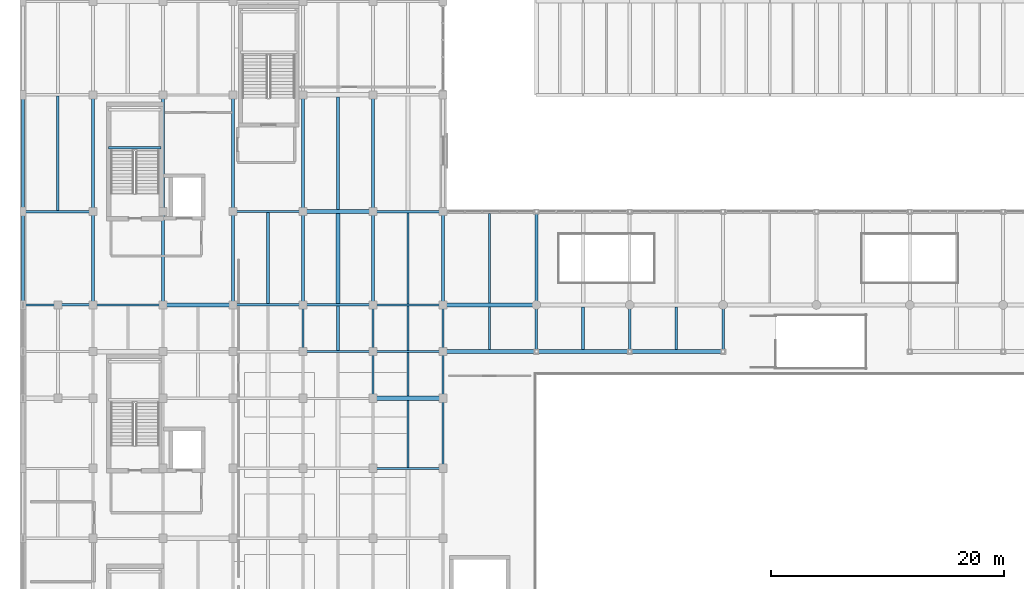
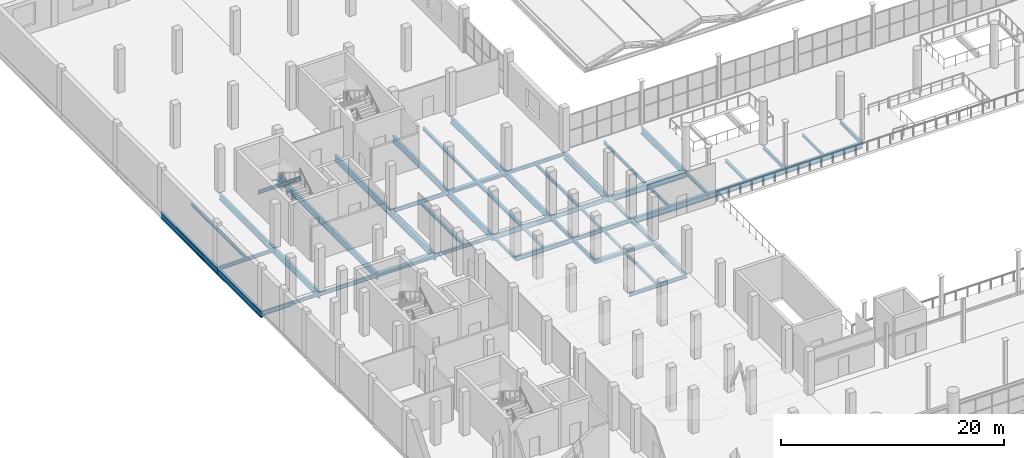
# One storey, part 20 of 114: 56 beams.
"""IFC4 building model written with IfcOpenShell, lengths in metres."""

from ifc_helpers import new_model, si_unit, direction, frame, origin, origin_2d, place, context, subcontext, project, spatial, i_section, extrude, material, material_profile, profile_set, type_object, element, save


model = new_model("IFC4")

# Units and contexts
model_context = context("Model", 3, precision=1e-05, world=origin(), true_north=direction((0.0, 1.0)))
body_context = subcontext(model_context, "Body", "Model", "MODEL_VIEW")
ifc_project = project(units=[si_unit("LENGTHUNIT", "METRE"), si_unit("AREAUNIT", "SQUARE_METRE"), si_unit("VOLUMEUNIT", "CUBIC_METRE"), si_unit("PLANEANGLEUNIT", "RADIAN"), si_unit("MASSUNIT", "GRAM", prefix="KILO")], contexts=[model_context])

# Site, building, storey
site_placement = place(None, origin())
site = spatial("IfcSite", under=ifc_project, at=site_placement, CompositionType="ELEMENT")
building_placement = place(site_placement, origin())
building = spatial("IfcBuilding", under=site, at=building_placement, Name="Verrall Gate Interchange", CompositionType="ELEMENT")
storey_placement = place(building_placement, frame((0.0, 0.0, 6.60009765625)))
storey = spatial("IfcBuildingStorey", under=building, at=storey_placement, Name="L02", CompositionType="ELEMENT", Elevation=6.60009765625)

# Beams
ifc_material_1 = material(Name="Structural Steel CSA G40.21 350WT Cat 4", Category="steel")
ifc_material_profile_1 = material_profile(ifc_material_1, i_section(OverallWidth=0.256103515625, OverallDepth=0.693115234375, WebThickness=0.01318359375, FlangeThickness=0.02001953125, FilletRadius=0.01611328125, at=origin_2d()), Name="W690x170")
ifc_profile_set_1 = profile_set([ifc_material_profile_1], Name="Structural Steel CSA G40.21 350WT Cat 4")
beam_type_1 = type_object("IfcBeamType", Name="B-07 Structural Beam W690x170", PredefinedType="BEAM", material=ifc_profile_set_1)
beam_1_placement = place(storey_placement, frame((0.0, 48.0, -0.626708984375), z_axis=(0.0, 1.0, 0.0), x_axis=(-1.0, 0.0, 0.0)))
element("IfcBeam", 1, at=beam_1_placement, inside=storey, type_object=beam_type_1, Name="L02 Girder BM-L02-1642 (B-07)", PredefinedType="BEAM", context=body_context, shape_type="SweptSolid", body=[
    extrude(i_section(OverallWidth=0.256103515625, OverallDepth=0.693115234375, WebThickness=0.01318359375, FlangeThickness=0.02001953125, FilletRadius=0.01611328125, at=origin_2d()), origin(), (0.0, 0.0, 1.0), 8.0),
])
beam_2_placement = place(storey_placement, frame((0.0, 56.0, -0.626708984375), z_axis=(0.0, 1.0, 0.0), x_axis=(-1.0, 0.0, 0.0)))
element("IfcBeam", 2, at=beam_2_placement, inside=storey, type_object=beam_type_1, Name="L02 Girder BM-L02-1643 (B-07)", PredefinedType="BEAM", context=body_context, shape_type="SweptSolid", body=[
    extrude(i_section(OverallWidth=0.256103515625, OverallDepth=0.693115234375, WebThickness=0.01318359375, FlangeThickness=0.02001953125, FilletRadius=0.01611328125, at=origin_2d()), origin(), (0.0, 0.0, 1.0), 10.0),
])
beam_3_placement = place(storey_placement, frame((6.0, 48.0, -0.626708984375), z_axis=(0.0, 1.0, 0.0), x_axis=(-1.0, 0.0, 0.0)))
element("IfcBeam", 3, at=beam_3_placement, inside=storey, type_object=beam_type_1, Name="L02 Girder BM-L02-1657 (B-07)", PredefinedType="BEAM", context=body_context, shape_type="SweptSolid", body=[
    extrude(i_section(OverallWidth=0.256103515625, OverallDepth=0.693115234375, WebThickness=0.01318359375, FlangeThickness=0.02001953125, FilletRadius=0.01611328125, at=origin_2d()), origin(), (0.0, 0.0, 1.0), 8.0),
])
beam_4_placement = place(storey_placement, frame((6.0, 56.0, -0.626708984375), z_axis=(0.0, 1.0, 0.0), x_axis=(-1.0, 0.0, 0.0)))
element("IfcBeam", 4, at=beam_4_placement, inside=storey, type_object=beam_type_1, Name="L02 Girder BM-L02-1658 (B-07)", PredefinedType="BEAM", context=body_context, shape_type="SweptSolid", body=[
    extrude(i_section(OverallWidth=0.256103515625, OverallDepth=0.693115234375, WebThickness=0.01318359375, FlangeThickness=0.02001953125, FilletRadius=0.01611328125, at=origin_2d()), origin(), (0.0, 0.0, 1.0), 10.0),
])
beam_5_placement = place(storey_placement, frame((12.0, 48.0, -0.626708984375), z_axis=(0.0, 1.0, 0.0), x_axis=(-1.0, 0.0, 0.0)))
element("IfcBeam", 5, at=beam_5_placement, inside=storey, type_object=beam_type_1, Name="L02 Girder BM-L02-1671 (B-07)", PredefinedType="BEAM", context=body_context, shape_type="SweptSolid", body=[
    extrude(i_section(OverallWidth=0.256103515625, OverallDepth=0.693115234375, WebThickness=0.01318359375, FlangeThickness=0.02001953125, FilletRadius=0.01611328125, at=origin_2d()), origin(), (0.0, 0.0, 1.0), 8.0),
])
beam_6_placement = place(storey_placement, frame((12.0, 56.0, -0.626708984375), z_axis=(0.0, 1.0, 0.0), x_axis=(-1.0, 0.0, 0.0)))
element("IfcBeam", 6, at=beam_6_placement, inside=storey, type_object=beam_type_1, Name="L02 Girder BM-L02-1672 (B-07)", PredefinedType="BEAM", context=body_context, shape_type="SweptSolid", body=[
    extrude(i_section(OverallWidth=0.256103515625, OverallDepth=0.693115234375, WebThickness=0.01318359375, FlangeThickness=0.02001953125, FilletRadius=0.01611328125, at=origin_2d()), origin(), (0.0, 0.0, 1.0), 10.0),
])
beam_7_placement = place(storey_placement, frame((18.0, 48.0, -0.626708984375), z_axis=(0.0, 1.0, 0.0), x_axis=(-1.0, 0.0, 0.0)))
element("IfcBeam", 7, at=beam_7_placement, inside=storey, type_object=beam_type_1, Name="L02 Girder BM-L02-1685 (B-07)", PredefinedType="BEAM", context=body_context, shape_type="SweptSolid", body=[
    extrude(i_section(OverallWidth=0.256103515625, OverallDepth=0.693115234375, WebThickness=0.01318359375, FlangeThickness=0.02001953125, FilletRadius=0.01611328125, at=origin_2d()), origin(), (0.0, 0.0, 1.0), 8.0),
])
beam_8_placement = place(storey_placement, frame((18.0, 56.0, -0.626708984375), z_axis=(0.0, 1.0, 0.0), x_axis=(-1.0, 0.0, 0.0)))
element("IfcBeam", 8, at=beam_8_placement, inside=storey, type_object=beam_type_1, Name="L02 Girder BM-L02-1686 (B-07)", PredefinedType="BEAM", context=body_context, shape_type="SweptSolid", body=[
    extrude(i_section(OverallWidth=0.256103515625, OverallDepth=0.693115234375, WebThickness=0.01318359375, FlangeThickness=0.02001953125, FilletRadius=0.01611328125, at=origin_2d()), origin(), (0.0, 0.0, 1.0), 10.0),
])
beam_9_placement = place(storey_placement, frame((24.0, 48.0, -0.626708984375), z_axis=(0.0, 1.0, 0.0), x_axis=(-1.0, 0.0, 0.0)))
element("IfcBeam", 9, at=beam_9_placement, inside=storey, type_object=beam_type_1, Name="L02 Girder BM-L02-1699 (B-07)", PredefinedType="BEAM", context=body_context, shape_type="SweptSolid", body=[
    extrude(i_section(OverallWidth=0.256103515625, OverallDepth=0.693115234375, WebThickness=0.01318359375, FlangeThickness=0.02001953125, FilletRadius=0.01611328125, at=origin_2d()), origin(), (0.0, 0.0, 1.0), 8.0),
])
beam_10_placement = place(storey_placement, frame((24.0, 56.0, -0.626708984375), z_axis=(0.0, 1.0, 0.0), x_axis=(-1.0, 0.0, 0.0)))
element("IfcBeam", 10, at=beam_10_placement, inside=storey, type_object=beam_type_1, Name="L02 Girder BM-L02-1700 (B-07)", PredefinedType="BEAM", context=body_context, shape_type="SweptSolid", body=[
    extrude(i_section(OverallWidth=0.256103515625, OverallDepth=0.693115234375, WebThickness=0.01318359375, FlangeThickness=0.02001953125, FilletRadius=0.01611328125, at=origin_2d()), origin(), (0.0, 0.0, 1.0), 10.0),
])
beam_11_placement = place(storey_placement, frame((30.0, 48.0, -0.626708984375), z_axis=(0.0, 1.0, 0.0), x_axis=(-1.0, 0.0, 0.0)))
element("IfcBeam", 11, at=beam_11_placement, inside=storey, type_object=beam_type_1, Name="L02 Girder BM-L02-1713 (B-07)", PredefinedType="BEAM", context=body_context, shape_type="SweptSolid", body=[
    extrude(i_section(OverallWidth=0.256103515625, OverallDepth=0.693115234375, WebThickness=0.01318359375, FlangeThickness=0.02001953125, FilletRadius=0.01611328125, at=origin_2d()), origin(), (0.0, 0.0, 1.0), 8.0),
])
beam_12_placement = place(storey_placement, frame((30.0, 56.0, -0.626708984375), z_axis=(0.0, 1.0, 0.0), x_axis=(-1.0, 0.0, 0.0)))
element("IfcBeam", 12, at=beam_12_placement, inside=storey, type_object=beam_type_1, Name="L02 Girder BM-L02-1714 (B-07)", PredefinedType="BEAM", context=body_context, shape_type="SweptSolid", body=[
    extrude(i_section(OverallWidth=0.256103515625, OverallDepth=0.693115234375, WebThickness=0.01318359375, FlangeThickness=0.02001953125, FilletRadius=0.01611328125, at=origin_2d()), origin(), (0.0, 0.0, 1.0), 10.0),
])
for number, where, z_axis, x_axis, name in (
    (13, (36.0, 48.0, -0.626708984375), (0.0, 1.0, 0.0), (-1.0, 0.0, 0.0), "L02 Girder BM-L02-1727 (B-07)"),
    (14, (44.0, 48.0, -0.626708984375), (0.0, 1.0, 0.0), (-1.0, 0.0, 0.0), "L02 Girder BM-L02-1736 (B-07)"),
):
    element("IfcBeam", number, at=place(storey_placement, frame(where, z_axis=z_axis, x_axis=x_axis)), inside=storey, type_object=beam_type_1, Name=name, PredefinedType="BEAM", context=body_context, shape_type="SweptSolid", body=[
        extrude(i_section(OverallWidth=0.256103515625, OverallDepth=0.693115234375, WebThickness=0.01318359375, FlangeThickness=0.02001953125, FilletRadius=0.01611328125, at=origin_2d()), origin(), (0.0, 0.0, 1.0), 8.0),
    ])
ifc_material_2 = material(Name="Structural Steel CSA G40.21 350WT Cat 4", Category="steel")
ifc_material_profile_2 = material_profile(ifc_material_2, i_section(OverallWidth=0.323974609375, OverallDepth=0.611083984375, WebThickness=0.0126953125, FlangeThickness=0.01904296875, FilletRadius=0.014892578125, at=origin_2d()), Name="W610x155")
ifc_profile_set_2 = profile_set([ifc_material_profile_2], Name="Structural Steel CSA G40.21 350WT Cat 4")
beam_type_2 = type_object("IfcBeamType", Name="B-08 Structural Beam W610x155", PredefinedType="BEAM", material=ifc_profile_set_2)
for number, where, z_axis, x_axis, name in (
    (15, (36.0, 44.0, -0.585693359375), (1.0, 0.0, 0.0), (0.0, 1.0, 0.0), "L02 Girder BM-L02-1551 (B-08)"),
    (16, (44.0, 44.0, -0.585693359375), (1.0, 0.0, 0.0), (0.0, 1.0, 0.0), "L02 Girder BM-L02-1552 (B-08)"),
    (17, (52.0, 44.0, -0.585693359375), (1.0, 0.0, 0.0), (0.0, 1.0, 0.0), "L02 Girder BM-L02-1553 (B-08)"),
    (18, (36.0, 48.0, -0.585693359375), (1.0, 0.0, 0.0), (0.0, 1.0, 0.0), "L02 Girder BM-L02-1570 (B-08)"),
):
    element("IfcBeam", number, at=place(storey_placement, frame(where, z_axis=z_axis, x_axis=x_axis)), inside=storey, type_object=beam_type_2, Name=name, PredefinedType="BEAM", context=body_context, shape_type="SweptSolid", body=[
        extrude(i_section(OverallWidth=0.323974609375, OverallDepth=0.611083984375, WebThickness=0.0126953125, FlangeThickness=0.01904296875, FilletRadius=0.014892578125, at=origin_2d()), origin(), (0.0, 0.0, 1.0), 8.0),
    ])
ifc_material_3 = material(Name="Structural Steel CSA G40.21 350W", Category="steel")
ifc_material_profile_3 = material_profile(ifc_material_3, i_section(OverallWidth=0.2109375, OverallDepth=0.5390625, WebThickness=0.01171875, FlangeThickness=0.018798828125, FilletRadius=0.013916015625, at=origin_2d()), Name="W530x109")
ifc_profile_set_3 = profile_set([ifc_material_profile_3], Name="Structural Steel CSA G40.21 350W")
beam_type_3 = type_object("IfcBeamType", Name="B-10 Structural Beam W530x109", PredefinedType="BEAM", material=ifc_profile_set_3)
beam_13_placement = place(storey_placement, frame((24.0, 48.0, -0.549560546875), z_axis=(1.0, 0.0, 0.0), x_axis=(0.0, 1.0, 0.0)))
element("IfcBeam", 19, at=beam_13_placement, inside=storey, type_object=beam_type_3, Name="L02 Girder BM-L02-1568 (B-10)", PredefinedType="BEAM", context=body_context, shape_type="SweptSolid", body=[
    extrude(i_section(OverallWidth=0.2109375, OverallDepth=0.5390625, WebThickness=0.01171875, FlangeThickness=0.018798828125, FilletRadius=0.013916015625, at=origin_2d()), origin(), (0.0, 0.0, 1.0), 6.0),
])
ifc_material_4 = material(Name="Structural Steel CSA G40.21 350W", Category="steel")
ifc_material_profile_4 = material_profile(ifc_material_4, i_section(OverallWidth=0.19189453125, OverallDepth=0.462890625, WebThickness=0.010498046875, FlangeThickness=0.017578125, FilletRadius=0.012939453125, at=origin_2d()), Name="W460x89")
ifc_profile_set_4 = profile_set([ifc_material_profile_4], Name="Structural Steel CSA G40.21 350W")
beam_type_4 = type_object("IfcBeamType", Name="B-11 Structural Beam W460x89", PredefinedType="BEAM", material=ifc_profile_set_4)
beam_14_placement = place(storey_placement, frame((24.0, 44.0, -0.51171875), z_axis=(1.0, 0.0, 0.0), x_axis=(0.0, 1.0, 0.0)))
element("IfcBeam", 20, at=beam_14_placement, inside=storey, type_object=beam_type_4, Name="L02 Girder BM-L02-1549 (B-11)", PredefinedType="BEAM", context=body_context, shape_type="SweptSolid", body=[
    extrude(i_section(OverallWidth=0.19189453125, OverallDepth=0.462890625, WebThickness=0.010498046875, FlangeThickness=0.017578125, FilletRadius=0.012939453125, at=origin_2d()), origin(), (0.0, 0.0, 1.0), 6.0),
])
beam_15_placement = place(storey_placement, frame((0.0, 48.0, -0.51171875), z_axis=(1.0, 0.0, 0.0), x_axis=(0.0, 1.0, 0.0)))
element("IfcBeam", 21, at=beam_15_placement, inside=storey, type_object=beam_type_4, Name="L02 Girder BM-L02-1563 (B-11)", PredefinedType="BEAM", context=body_context, shape_type="SweptSolid", body=[
    extrude(i_section(OverallWidth=0.19189453125, OverallDepth=0.462890625, WebThickness=0.010498046875, FlangeThickness=0.017578125, FilletRadius=0.012939453125, at=origin_2d()), origin(), (0.0, 0.0, 1.0), 3.0),
])
beam_16_placement = place(storey_placement, frame((30.0, 48.0, -0.51171875), z_axis=(1.0, 0.0, 0.0), x_axis=(0.0, 1.0, 0.0)))
element("IfcBeam", 22, at=beam_16_placement, inside=storey, type_object=beam_type_4, Name="L02 Girder BM-L02-1569 (B-11)", PredefinedType="BEAM", context=body_context, shape_type="SweptSolid", body=[
    extrude(i_section(OverallWidth=0.19189453125, OverallDepth=0.462890625, WebThickness=0.010498046875, FlangeThickness=0.017578125, FilletRadius=0.012939453125, at=origin_2d()), origin(), (0.0, 0.0, 1.0), 6.0),
])
for number, where, z_axis, x_axis, name in (
    (23, (30.0, 40.0, -0.51171875), (0.0, 1.0, 0.0), (-1.0, 0.0, 0.0), "L02 Girder BM-L02-1711 (B-11)"),
    (24, (30.0, 44.0, -0.51171875), (0.0, 1.0, 0.0), (-1.0, 0.0, 0.0), "L02 Girder BM-L02-1712 (B-11)"),
):
    element("IfcBeam", number, at=place(storey_placement, frame(where, z_axis=z_axis, x_axis=x_axis)), inside=storey, type_object=beam_type_4, Name=name, PredefinedType="BEAM", context=body_context, shape_type="SweptSolid", body=[
        extrude(i_section(OverallWidth=0.19189453125, OverallDepth=0.462890625, WebThickness=0.010498046875, FlangeThickness=0.017578125, FilletRadius=0.012939453125, at=origin_2d()), origin(), (0.0, 0.0, 1.0), 4.0),
    ])
beam_17_placement = place(storey_placement, frame((36.0, 34.0, -0.51171875), z_axis=(0.0, 1.0, 0.0), x_axis=(-1.0, 0.0, 0.0)))
element("IfcBeam", 25, at=beam_17_placement, inside=storey, type_object=beam_type_4, Name="L02 Girder BM-L02-1724 (B-11)", PredefinedType="BEAM", context=body_context, shape_type="SweptSolid", body=[
    extrude(i_section(OverallWidth=0.19189453125, OverallDepth=0.462890625, WebThickness=0.010498046875, FlangeThickness=0.017578125, FilletRadius=0.012939453125, at=origin_2d()), origin(), (0.0, 0.0, 1.0), 6.0),
])
ifc_material_5 = material(Name="Structural Steel CSA G40.21 350W", Category="steel")
ifc_material_profile_5 = material_profile(ifc_material_5, i_section(OverallWidth=0.178955078125, OverallDepth=0.409912109375, WebThickness=0.0087890625, FlangeThickness=0.014404296875, FilletRadius=0.011962890625, at=origin_2d()), Name="W410x67")
ifc_profile_set_5 = profile_set([ifc_material_profile_5], Name="Structural Steel CSA G40.21 350W")
beam_type_5 = type_object("IfcBeamType", Name="B-12 Structural Beam W410x67", PredefinedType="BEAM", material=ifc_profile_set_5)
for number, where, z_axis, x_axis, name in (
    (26, (30.0, 34.0, -0.485107421875), (1.0, 0.0, 0.0), (0.0, 1.0, 0.0), "L02 Girder BM-L02-1529 (B-12)"),
    (27, (30.0, 44.0, -0.485107421875), (1.0, 0.0, 0.0), (0.0, 1.0, 0.0), "L02 Girder BM-L02-1550 (B-12)"),
    (28, (6.0, 48.0, -0.485107421875), (1.0, 0.0, 0.0), (0.0, 1.0, 0.0), "L02 Girder BM-L02-1565 (B-12)"),
    (29, (18.0, 56.0, -0.485107421875), (1.0, 0.0, 0.0), (0.0, 1.0, 0.0), "L02 Girder BM-L02-1589 (B-12)"),
):
    element("IfcBeam", number, at=place(storey_placement, frame(where, z_axis=z_axis, x_axis=x_axis)), inside=storey, type_object=beam_type_5, Name=name, PredefinedType="BEAM", context=body_context, shape_type="SweptSolid", body=[
        extrude(i_section(OverallWidth=0.178955078125, OverallDepth=0.409912109375, WebThickness=0.0087890625, FlangeThickness=0.014404296875, FilletRadius=0.011962890625, at=origin_2d()), origin(), (0.0, 0.0, 1.0), 6.0),
    ])
ifc_material_6 = material(Name="Structural Steel CSA G40.21 350W", Category="steel")
ifc_material_profile_6 = material_profile(ifc_material_6, i_section(OverallWidth=0.368896484375, OverallDepth=0.35595703125, WebThickness=0.01123046875, FlangeThickness=0.01806640625, FilletRadius=0.014892578125, at=origin_2d()), Name="W360x134")
ifc_profile_set_6 = profile_set([ifc_material_profile_6], Name="Structural Steel CSA G40.21 350W")
beam_type_6 = type_object("IfcBeamType", Name="B-13 Structural Beam W360x134", PredefinedType="BEAM", material=ifc_profile_set_6)
for number, where, z_axis, x_axis, name in (
    (30, (30.0, 40.0, -0.4580078125), (1.0, 0.0, 0.0), (0.0, 1.0, 0.0), "L02 Girder BM-L02-1539 (B-13)"),
    (31, (12.0, 48.0, -0.4580078125), (1.0, 0.0, 0.0), (0.0, 1.0, 0.0), "L02 Girder BM-L02-1566 (B-13)"),
    (32, (24.0, 56.0, -0.4580078125), (1.0, 0.0, 0.0), (0.0, 1.0, 0.0), "L02 Girder BM-L02-1590 (B-13)"),
):
    element("IfcBeam", number, at=place(storey_placement, frame(where, z_axis=z_axis, x_axis=x_axis)), inside=storey, type_object=beam_type_6, Name=name, PredefinedType="BEAM", context=body_context, shape_type="SweptSolid", body=[
        extrude(i_section(OverallWidth=0.368896484375, OverallDepth=0.35595703125, WebThickness=0.01123046875, FlangeThickness=0.01806640625, FilletRadius=0.014892578125, at=origin_2d()), origin(), (0.0, 0.0, 1.0), 6.0),
    ])
ifc_material_7 = material(Name="Structural Steel CSA G40.21 350W", Category="steel")
ifc_material_profile_7 = material_profile(ifc_material_7, i_section(OverallWidth=0.205078125, OverallDepth=0.35400390625, WebThickness=0.009521484375, FlangeThickness=0.016845703125, FilletRadius=0.012939453125, at=origin_2d()), Name="W360x79")
ifc_profile_set_7 = profile_set([ifc_material_profile_7], Name="Structural Steel CSA G40.21 350W")
beam_type_7 = type_object("IfcBeamType", Name="B-14 Structural Beam W360x79", PredefinedType="BEAM", material=ifc_profile_set_7)
beam_18_placement = place(storey_placement, frame((3.0, 48.0, -0.45703125), z_axis=(1.0, 0.0, 0.0), x_axis=(0.0, 1.0, 0.0)))
element("IfcBeam", 33, at=beam_18_placement, inside=storey, type_object=beam_type_7, Name="L02 Girder BM-L02-1564 (B-14)", PredefinedType="BEAM", context=body_context, shape_type="SweptSolid", body=[
    extrude(i_section(OverallWidth=0.205078125, OverallDepth=0.35400390625, WebThickness=0.009521484375, FlangeThickness=0.016845703125, FilletRadius=0.012939453125, at=origin_2d()), origin(), (0.0, 0.0, 1.0), 3.0),
])
for number, where, z_axis, x_axis, name in (
    (34, (18.0, 48.0, -0.45703125), (1.0, 0.0, 0.0), (0.0, 1.0, 0.0), "L02 Girder BM-L02-1567 (B-14)"),
    (35, (0.0, 56.0, -0.45703125), (1.0, 0.0, 0.0), (0.0, 1.0, 0.0), "L02 Girder BM-L02-1588 (B-14)"),
    (36, (30.0, 56.0, -0.45703125), (1.0, 0.0, 0.0), (0.0, 1.0, 0.0), "L02 Girder BM-L02-1591 (B-14)"),
):
    element("IfcBeam", number, at=place(storey_placement, frame(where, z_axis=z_axis, x_axis=x_axis)), inside=storey, type_object=beam_type_7, Name=name, PredefinedType="BEAM", context=body_context, shape_type="SweptSolid", body=[
        extrude(i_section(OverallWidth=0.205078125, OverallDepth=0.35400390625, WebThickness=0.009521484375, FlangeThickness=0.016845703125, FilletRadius=0.012939453125, at=origin_2d()), origin(), (0.0, 0.0, 1.0), 6.0),
    ])
for number, where, z_axis, x_axis, name in (
    (37, (24.0, 44.0, -0.45703125), (0.0, 1.0, 0.0), (-1.0, 0.0, 0.0), "L02 Girder BM-L02-1698 (B-14)"),
    (38, (36.0, 40.0, -0.45703125), (0.0, 1.0, 0.0), (-1.0, 0.0, 0.0), "L02 Girder BM-L02-1725 (B-14)"),
    (39, (36.0, 44.0, -0.45703125), (0.0, 1.0, 0.0), (-1.0, 0.0, 0.0), "L02 Girder BM-L02-1726 (B-14)"),
    (40, (44.0, 44.0, -0.45703125), (0.0, 1.0, 0.0), (-1.0, 0.0, 0.0), "L02 Girder BM-L02-1735 (B-14)"),
    (41, (52.0, 44.0, -0.45703125), (0.0, 1.0, 0.0), (-1.0, 0.0, 0.0), "L02 Girder BM-L02-1740 (B-14)"),
    (42, (60.0, 44.0, -0.45703125), (0.0, 1.0, 0.0), (-1.0, 0.0, 0.0), "L02 Girder BM-L02-1745 (B-14)"),
):
    element("IfcBeam", number, at=place(storey_placement, frame(where, z_axis=z_axis, x_axis=x_axis)), inside=storey, type_object=beam_type_7, Name=name, PredefinedType="BEAM", context=body_context, shape_type="SweptSolid", body=[
        extrude(i_section(OverallWidth=0.205078125, OverallDepth=0.35400390625, WebThickness=0.009521484375, FlangeThickness=0.016845703125, FilletRadius=0.012939453125, at=origin_2d()), origin(), (0.0, 0.0, 1.0), 4.0),
    ])
beam_19_placement = place(storey_placement, frame((7.35009765625, 61.469970703125, 2.02978515625), z_axis=(1.0, 0.0, 0.0), x_axis=(0.0, 1.0, 0.0)))
element("IfcBeam", 43, at=beam_19_placement, inside=storey, type_object=beam_type_7, Name="L02 Core C3 Mid-Landing Beam 1", PredefinedType="BEAM", context=body_context, shape_type="SweptSolid", body=[
    extrude(i_section(OverallWidth=0.205078125, OverallDepth=0.35400390625, WebThickness=0.009521484375, FlangeThickness=0.016845703125, FilletRadius=0.012939453125, at=origin_2d()), origin(), (0.0, 0.0, 1.0), 4.5),
])
ifc_material_8 = material(Name="Structural Steel CSA G40.21 350W", Category="steel")
ifc_material_profile_8 = material_profile(ifc_material_8, i_section(OverallWidth=0.172119140625, OverallDepth=0.35791015625, WebThickness=0.0078125, FlangeThickness=0.01318359375, FilletRadius=0.010986328125, at=origin_2d()), Name="W360x57")
ifc_profile_set_8 = profile_set([ifc_material_profile_8], Name="Structural Steel CSA G40.21 350W")
beam_type_8 = type_object("IfcBeamType", Name="J-01 Floor Joist W360x57", PredefinedType="JOIST", material=ifc_profile_set_8)
beam_20_placement = place(storey_placement, frame((33.0, 34.089599609375, -0.458984375), z_axis=(0.0, 1.0, 0.0), x_axis=(-1.0, 0.0, 0.0)))
element("IfcBeam", 44, at=beam_20_placement, inside=storey, type_object=beam_type_8, Name="L02 Secondary Floor Joist JST-L02-1909", PredefinedType="JOIST", context=body_context, shape_type="SweptSolid", body=[
    extrude(i_section(OverallWidth=0.172119140625, OverallDepth=0.35791015625, WebThickness=0.0078125, FlangeThickness=0.01318359375, FilletRadius=0.010986328125, at=origin_2d()), origin(), (0.0, 0.0, 1.0), 5.725830078125),
])
beam_21_placement = place(storey_placement, frame((33.0, 48.095947265625, -0.458984375), z_axis=(0.0, 1.0, 0.0), x_axis=(-1.0, 0.0, 0.0)))
element("IfcBeam", 45, at=beam_21_placement, inside=storey, type_object=beam_type_8, Name="L02 Secondary Floor Joist JST-L02-1942", PredefinedType="JOIST", context=body_context, shape_type="SweptSolid", body=[
    extrude(i_section(OverallWidth=0.172119140625, OverallDepth=0.35791015625, WebThickness=0.0078125, FlangeThickness=0.01318359375, FilletRadius=0.010986328125, at=origin_2d()), origin(), (0.0, 0.0, 1.0), 7.801513671875),
])
beam_22_placement = place(storey_placement, frame((40.0, 48.162109375, -0.458984375), z_axis=(0.0, 1.0, 0.0), x_axis=(-1.0, 0.0, 0.0)))
element("IfcBeam", 46, at=beam_22_placement, inside=storey, type_object=beam_type_8, Name="L02 Secondary Floor Joist JST-L02-1943", PredefinedType="JOIST", context=body_context, shape_type="SweptSolid", body=[
    extrude(i_section(OverallWidth=0.172119140625, OverallDepth=0.35791015625, WebThickness=0.0078125, FlangeThickness=0.01318359375, FilletRadius=0.010986328125, at=origin_2d()), origin(), (0.0, 0.0, 1.0), 7.67578125),
])
ifc_material_9 = material(Name="Structural Steel CSA G40.21 350W", Category="steel")
ifc_material_profile_9 = material_profile(ifc_material_9, i_section(OverallWidth=0.306884765625, OverallDepth=0.31396484375, WebThickness=0.011962890625, FlangeThickness=0.018798828125, FilletRadius=0.013916015625, at=origin_2d()), Name="W310x118")
ifc_profile_set_9 = profile_set([ifc_material_profile_9], Name="Structural Steel CSA G40.21 350W")
beam_type_9 = type_object("IfcBeamType", Name="J-02 Floor Joist W310x118", PredefinedType="JOIST", material=ifc_profile_set_9)
beam_23_placement = place(storey_placement, frame((27.0, 48.10546875, -0.43701171875), z_axis=(0.0, 1.0, 0.0), x_axis=(-1.0, 0.0, 0.0)))
element("IfcBeam", 47, at=beam_23_placement, inside=storey, type_object=beam_type_9, Name="L02 Secondary Floor Joist JST-L02-1941", PredefinedType="JOIST", context=body_context, shape_type="SweptSolid", body=[
    extrude(i_section(OverallWidth=0.306884765625, OverallDepth=0.31396484375, WebThickness=0.011962890625, FlangeThickness=0.018798828125, FilletRadius=0.013916015625, at=origin_2d()), origin(), (0.0, 0.0, 1.0), 7.7099609375),
])
ifc_material_10 = material(Name="Structural Steel CSA G40.21 350W", Category="steel")
ifc_material_profile_10 = material_profile(ifc_material_10, i_section(OverallWidth=0.25390625, OverallDepth=0.305908203125, WebThickness=0.0087890625, FlangeThickness=0.0146484375, FilletRadius=0.012939453125, at=origin_2d()), Name="W310x79")
ifc_profile_set_10 = profile_set([ifc_material_profile_10], Name="Structural Steel CSA G40.21 350W")
beam_type_10 = type_object("IfcBeamType", Name="J-03 Floor Joist W310x79", PredefinedType="JOIST", material=ifc_profile_set_10)
beam_24_placement = place(storey_placement, frame((21.0, 48.1025390625, -0.43310546875), z_axis=(0.0, 1.0, 0.0), x_axis=(-1.0, 0.0, 0.0)))
element("IfcBeam", 48, at=beam_24_placement, inside=storey, type_object=beam_type_10, Name="L02 Secondary Floor Joist JST-L02-1940", PredefinedType="JOIST", context=body_context, shape_type="SweptSolid", body=[
    extrude(i_section(OverallWidth=0.25390625, OverallDepth=0.305908203125, WebThickness=0.0087890625, FlangeThickness=0.0146484375, FilletRadius=0.012939453125, at=origin_2d()), origin(), (0.0, 0.0, 1.0), 7.807861328125),
])
beam_25_placement = place(storey_placement, frame((27.0, 56.1845703125, -0.43310546875), z_axis=(0.0, 1.0, 0.0), x_axis=(-1.0, 0.0, 0.0)))
element("IfcBeam", 49, at=beam_25_placement, inside=storey, type_object=beam_type_10, Name="L02 Secondary Floor Joist JST-L02-1962", PredefinedType="JOIST", context=body_context, shape_type="SweptSolid", body=[
    extrude(i_section(OverallWidth=0.25390625, OverallDepth=0.305908203125, WebThickness=0.0087890625, FlangeThickness=0.0146484375, FilletRadius=0.012939453125, at=origin_2d()), origin(), (0.0, 0.0, 1.0), 9.630859375),
])
ifc_material_11 = material(Name="Structural Steel CSA G40.21 350W", Category="steel")
ifc_material_profile_11 = material_profile(ifc_material_11, i_section(OverallWidth=0.1650390625, OverallDepth=0.31005859375, WebThickness=0.005859375, FlangeThickness=0.009765625, FilletRadius=0.010009765625, at=origin_2d()), Name="W310x39")
ifc_profile_set_11 = profile_set([ifc_material_profile_11], Name="Structural Steel CSA G40.21 350W")
beam_type_11 = type_object("IfcBeamType", Name="J-04 Floor Joist W310x39", PredefinedType="JOIST", material=ifc_profile_set_11)
beam_26_placement = place(storey_placement, frame((33.0, 44.089599609375, -0.43505859375), z_axis=(0.0, 1.0, 0.0), x_axis=(-1.0, 0.0, 0.0)))
element("IfcBeam", 50, at=beam_26_placement, inside=storey, type_object=beam_type_11, Name="L02 Secondary Floor Joist JST-L02-1927", PredefinedType="JOIST", context=body_context, shape_type="SweptSolid", body=[
    extrude(i_section(OverallWidth=0.1650390625, OverallDepth=0.31005859375, WebThickness=0.005859375, FlangeThickness=0.009765625, FilletRadius=0.010009765625, at=origin_2d()), origin(), (0.0, 0.0, 1.0), 3.814453125),
])
beam_27_placement = place(storey_placement, frame((40.0, 44.162109375, -0.43505859375), z_axis=(0.0, 1.0, 0.0), x_axis=(-1.0, 0.0, 0.0)))
element("IfcBeam", 51, at=beam_27_placement, inside=storey, type_object=beam_type_11, Name="L02 Secondary Floor Joist JST-L02-1928", PredefinedType="JOIST", context=body_context, shape_type="SweptSolid", body=[
    extrude(i_section(OverallWidth=0.1650390625, OverallDepth=0.31005859375, WebThickness=0.005859375, FlangeThickness=0.009765625, FilletRadius=0.010009765625, at=origin_2d()), origin(), (0.0, 0.0, 1.0), 3.67578125),
])
ifc_material_12 = material(Name="Structural Steel CSA G40.21 350W", Category="steel")
ifc_material_profile_12 = material_profile(ifc_material_12, i_section(OverallWidth=0.25390625, OverallDepth=0.2529296875, WebThickness=0.008544921875, FlangeThickness=0.01416015625, FilletRadius=0.011962890625, at=origin_2d()), Name="W250x73")
ifc_profile_set_12 = profile_set([ifc_material_profile_12], Name="Structural Steel CSA G40.21 350W")
beam_type_12 = type_object("IfcBeamType", Name="J-05 Floor Joist W250x73", PredefinedType="JOIST", material=ifc_profile_set_12)
beam_28_placement = place(storey_placement, frame((27.0, 44.095947265625, -0.406494140625), z_axis=(0.0, 1.0, 0.0), x_axis=(-1.0, 0.0, 0.0)))
element("IfcBeam", 52, at=beam_28_placement, inside=storey, type_object=beam_type_12, Name="L02 Secondary Floor Joist JST-L02-1926", PredefinedType="JOIST", context=body_context, shape_type="SweptSolid", body=[
    extrude(i_section(OverallWidth=0.25390625, OverallDepth=0.2529296875, WebThickness=0.008544921875, FlangeThickness=0.01416015625, FilletRadius=0.011962890625, at=origin_2d()), origin(), (0.0, 0.0, 1.0), 3.798583984375),
])
beam_29_placement = place(storey_placement, frame((48.0, 44.162109375, -0.406494140625), z_axis=(0.0, 1.0, 0.0), x_axis=(-1.0, 0.0, 0.0)))
element("IfcBeam", 53, at=beam_29_placement, inside=storey, type_object=beam_type_12, Name="L02 Secondary Floor Joist JST-L02-1929", PredefinedType="JOIST", context=body_context, shape_type="SweptSolid", body=[
    extrude(i_section(OverallWidth=0.25390625, OverallDepth=0.2529296875, WebThickness=0.008544921875, FlangeThickness=0.01416015625, FilletRadius=0.011962890625, at=origin_2d()), origin(), (0.0, 0.0, 1.0), 3.67578125),
])
ifc_material_13 = material(Name="Structural Steel CSA G40.21 350W", Category="steel")
ifc_material_profile_13 = material_profile(ifc_material_13, i_section(OverallWidth=0.201904296875, OverallDepth=0.2470703125, WebThickness=0.00732421875, FlangeThickness=0.010986328125, FilletRadius=0.010986328125, at=origin_2d()), Name="W250x49")
ifc_profile_set_13 = profile_set([ifc_material_profile_13], Name="Structural Steel CSA G40.21 350W")
beam_type_13 = type_object("IfcBeamType", Name="J-06 Floor Joist W250x49", PredefinedType="JOIST", material=ifc_profile_set_13)
beam_30_placement = place(storey_placement, frame((56.0, 44.162109375, -0.403564453125), z_axis=(0.0, 1.0, 0.0), x_axis=(-1.0, 0.0, 0.0)))
element("IfcBeam", 54, at=beam_30_placement, inside=storey, type_object=beam_type_13, Name="L02 Secondary Floor Joist JST-L02-1930", PredefinedType="JOIST", context=body_context, shape_type="SweptSolid", body=[
    extrude(i_section(OverallWidth=0.201904296875, OverallDepth=0.2470703125, WebThickness=0.00732421875, FlangeThickness=0.010986328125, FilletRadius=0.010986328125, at=origin_2d()), origin(), (0.0, 0.0, 1.0), 3.67578125),
])
ifc_material_14 = material(Name="Structural Steel CSA G40.21 350W", Category="steel")
ifc_material_profile_14 = material_profile(ifc_material_14, i_section(OverallWidth=0.202880859375, OverallDepth=0.202880859375, WebThickness=0.007080078125, FlangeThickness=0.010986328125, FilletRadius=0.010009765625, at=origin_2d()), Name="W200x46")
ifc_profile_set_14 = profile_set([ifc_material_profile_14], Name="Structural Steel CSA G40.21 350W")
beam_type_14 = type_object("IfcBeamType", Name="J-07 Floor Joist W200x46", PredefinedType="JOIST", material=ifc_profile_set_14)
beam_31_placement = place(storey_placement, frame((33.0, 40.1845703125, -0.381591796875), z_axis=(0.0, 1.0, 0.0), x_axis=(-1.0, 0.0, 0.0)))
element("IfcBeam", 55, at=beam_31_placement, inside=storey, type_object=beam_type_14, Name="L02 Secondary Floor Joist JST-L02-1917", PredefinedType="JOIST", context=body_context, shape_type="SweptSolid", body=[
    extrude(i_section(OverallWidth=0.202880859375, OverallDepth=0.202880859375, WebThickness=0.007080078125, FlangeThickness=0.010986328125, FilletRadius=0.010009765625, at=origin_2d()), origin(), (0.0, 0.0, 1.0), 3.725830078125),
])
beam_32_placement = place(storey_placement, frame((3.0, 56.1025390625, -0.381591796875), z_axis=(0.0, 1.0, 0.0), x_axis=(-1.0, 0.0, 0.0)))
element("IfcBeam", 56, at=beam_32_placement, inside=storey, type_object=beam_type_14, Name="L02 Secondary Floor Joist JST-L02-1961", PredefinedType="JOIST", context=body_context, shape_type="SweptSolid", body=[
    extrude(i_section(OverallWidth=0.202880859375, OverallDepth=0.202880859375, WebThickness=0.007080078125, FlangeThickness=0.010986328125, FilletRadius=0.010009765625, at=origin_2d()), origin(), (0.0, 0.0, 1.0), 9.794921875),
])

save(model, "model.ifc")
